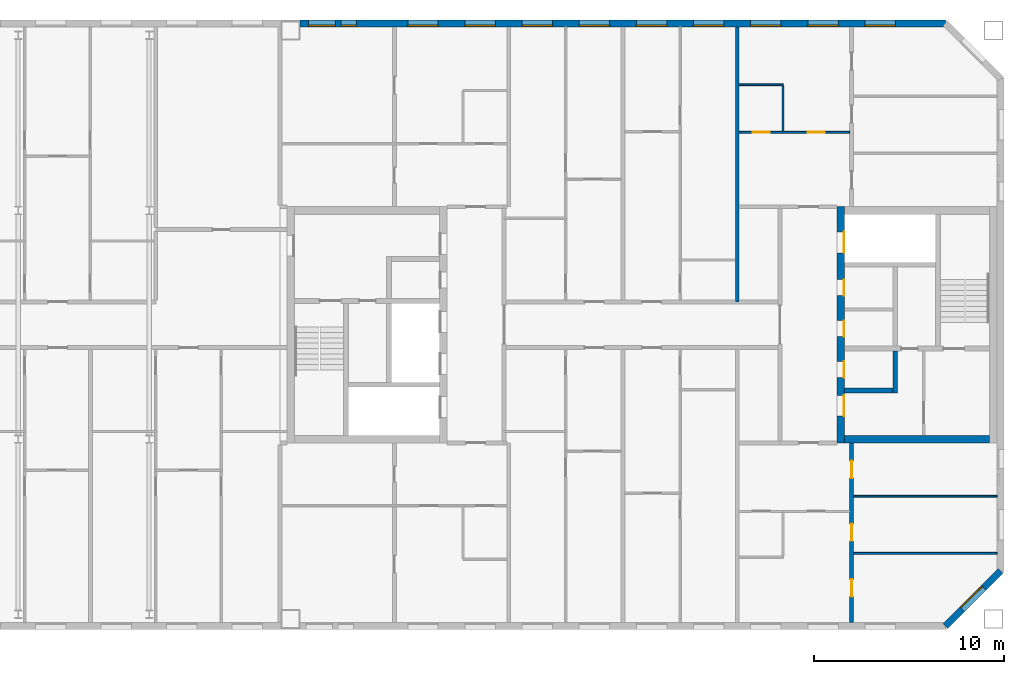
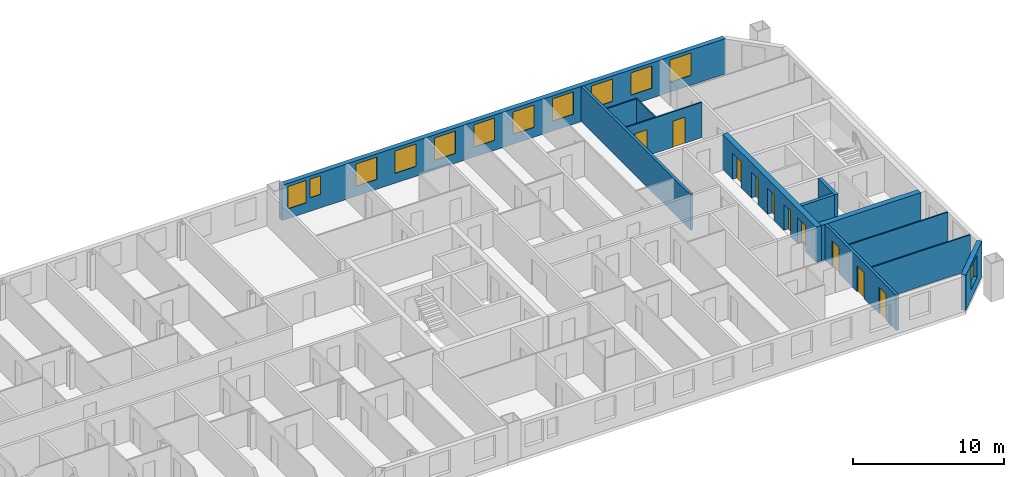
# One storey, part 16 of 19: 13 walls, 12 windows, 10 doors, 22 openings.
"""IFC4 building model written with IfcOpenShell, lengths in metres."""

import ifcopenshell
import ifcopenshell.guid

model = None  # the IFC model being written
_history = None  # IfcOwnerHistory: only IFC2X3 demands one
_inside = {}  # id of a spatial element -> (the spatial element, [elements in it])
_under = {}  # id of a project, library or spatial element -> (it, [spatial elements below it])
_declared = {}  # id of a project -> (the project, [libraries it declares])
_typed = {}  # id of a type object -> (the type object, [elements of that type])
_made_of = {}  # id of a material, layer set ... -> (it, [elements and type objects made of it])


def new_model(schema):
    """Start an empty IFC model of exactly this schema.

    Asked for "IFC4X3", IfcOpenShell would pick the latest addendum, in which some entities
    have other attributes; the version numbers below select the first issue.
    IFC2X3 requires an IfcOwnerHistory on every rooted entity: one is made here for all.
    """
    global model, _history
    if schema == "IFC4X3":
        model = ifcopenshell.file(schema_version=(4, 3, 0, 0))
    else:
        model = ifcopenshell.file(schema=schema)
    _inside.clear()
    _under.clear()
    _declared.clear()
    _typed.clear()
    _made_of.clear()
    _history = None
    if model.schema == "IFC2X3":
        org = make("IfcOrganization", Name="unknown")
        user = make(
            "IfcPersonAndOrganization",
            ThePerson=make("IfcPerson", FamilyName="unknown"),
            TheOrganization=org,
        )
        app = make(
            "IfcApplication",
            ApplicationDeveloper=org,
            Version="unknown",
            ApplicationFullName="unknown",
            ApplicationIdentifier="unknown",
        )
        _history = make(
            "IfcOwnerHistory",
            OwningUser=user,
            OwningApplication=app,
            ChangeAction="ADDED",
            CreationDate=0,
        )
    return model


def make(cls, **values):
    """One entity of the class cls with the attributes given. An attribute that is None is left unset."""
    return model.create_entity(
        cls, **{name: value for name, value in values.items() if value is not None}
    )


def rooted(cls, **values):
    """An entity with a GlobalId (a new one), such as an element, a storey or a relation."""
    return make(cls, GlobalId=ifcopenshell.guid.new(), OwnerHistory=_history, **values)


def si_unit(unit_type, name, prefix=None):
    """IfcSIUnit, for example si_unit("LENGTHUNIT", "METRE", prefix="MILLI")."""
    return make("IfcSIUnit", UnitType=unit_type, Prefix=prefix, Name=name)


def assignment(units):
    """IfcUnitAssignment: the units of a project."""
    return None if units is None else make("IfcUnitAssignment", Units=units)


def point(xyz):
    """IfcCartesianPoint."""
    return None if xyz is None else make("IfcCartesianPoint", Coordinates=xyz)


def direction(xyz):
    """IfcDirection."""
    return None if xyz is None else make("IfcDirection", DirectionRatios=xyz)


def frame(location, z_axis=None, x_axis=None):
    """IfcAxis2Placement3D, a coordinate frame: its origin and axes. An axis left out is left unset."""
    return make(
        "IfcAxis2Placement3D",
        Location=point(location),
        Axis=direction(z_axis),
        RefDirection=direction(x_axis),
    )


def frame_2d(location, x_axis=None):
    """IfcAxis2Placement2D, a coordinate frame in the plane: its origin and x axis."""
    return make(
        "IfcAxis2Placement2D", Location=point(location), RefDirection=direction(x_axis)
    )


def origin():
    """The frame at (0, 0, 0) with its axes left unset."""
    return frame((0.0, 0.0, 0.0))


def place(relative_to, where):
    """IfcLocalPlacement: puts the frame where relative to a parent placement (None: the world)."""
    return make(
        "IfcLocalPlacement", PlacementRelTo=relative_to, RelativePlacement=where
    )


def context(
    kind, dimensions, precision=None, world=None, true_north=None, identifier=None
):
    """IfcGeometricRepresentationContext, for example the 3D "Model" context."""
    return make(
        "IfcGeometricRepresentationContext",
        ContextIdentifier=identifier,
        ContextType=kind,
        CoordinateSpaceDimension=dimensions,
        Precision=precision,
        WorldCoordinateSystem=world,
        TrueNorth=true_north,
    )


def subcontext(parent, identifier, kind, view, scale=None):
    """IfcGeometricRepresentationSubContext, for example "Body" below "Model"."""
    return make(
        "IfcGeometricRepresentationSubContext",
        ContextIdentifier=identifier,
        ContextType=kind,
        ParentContext=parent,
        TargetScale=scale,
        TargetView=view,
    )


def project(units=None, contexts=None):
    """IfcProject with its units and contexts."""
    return rooted(
        "IfcProject",
        Name="project",
        RepresentationContexts=contexts,
        UnitsInContext=assignment(units),
    )


def spatial(cls, under=None, at=None, **own):
    """A site, building, storey or space (cls), placed at a placement, below another one or the project."""
    s = rooted(cls, ObjectPlacement=at, **own)
    if under is not None:
        _under.setdefault(under.id(), (under, []))[1].append(s)
    return s


def profile(cls, at=None, kind="AREA", **sizes):
    """A parametric profile (cls). Its sizes go by their IFC names, for example OverallWidth=200.0."""
    return make(cls, ProfileType=kind, Position=at, **sizes)


def rectangle(**sizes):
    """IfcRectangleProfileDef."""
    return profile("IfcRectangleProfileDef", **sizes)


def extrude(swept, where, along, depth):
    """IfcExtrudedAreaSolid: the profile swept, set in the frame where, extruded along a direction by depth."""
    return make(
        "IfcExtrudedAreaSolid",
        SweptArea=swept,
        Position=where,
        ExtrudedDirection=direction(along),
        Depth=depth,
    )


def shape(context_of_items, identifier, shape_type, items):
    """IfcShapeRepresentation: the items that make up one representation, for example the "Body"."""
    return make(
        "IfcShapeRepresentation",
        ContextOfItems=context_of_items,
        RepresentationIdentifier=identifier,
        RepresentationType=shape_type,
        Items=items,
    )


def material(Name=None, Category=None):
    """IfcMaterial."""
    return make("IfcMaterial", Name=Name, Category=Category)


def layer(
    of_material, thickness, ventilated=None, Name=None, Category=None, Priority=None
):
    """IfcMaterialLayer: one layer of a wall or slab, of a material (None: an air gap)."""
    return make(
        "IfcMaterialLayer",
        Material=of_material,
        LayerThickness=thickness,
        IsVentilated=ventilated,
        Name=Name,
        Category=Category,
        Priority=Priority,
    )


def layer_set(layers, Name=None):
    """IfcMaterialLayerSet."""
    return make("IfcMaterialLayerSet", MaterialLayers=layers, LayerSetName=Name)


def made_of(thing, what):
    """Note that an element or type object is made of a material, layer set ...; save() writes the relation."""
    if what is not None:
        _made_of.setdefault(what.id(), (what, []))[1].append(thing)
    return thing


def type_object(cls, material=None, **own):
    """A type object (cls), such as IfcWallType, which elements share."""
    return made_of(rooted(cls, **own), material)


def element(
    cls,
    number,
    at=None,
    inside=None,
    cuts=None,
    type_object=None,
    material=None,
    context=None,
    identifier="Body",
    shape_type=None,
    held_by="IfcProductDefinitionShape",
    body=None,
    shapes=None,
    **own,
):
    """One element of the class cls, such as IfcWall. Its Tag is "e" and its number.

    at: its placement. inside: the storey or other place that contains it. cuts: it is an
    opening in that element (IfcRelVoidsElement). A single representation is given by context,
    identifier, shape_type and body (its items); several are given by shapes. held_by: the class
    of the entity that holds the representations. save() writes the other relations.
    """
    e = rooted(cls, Tag="e%d" % number, ObjectPlacement=at, **own)
    if body is not None:
        shapes = [shape(context, identifier, shape_type, body)]
    if shapes is not None:
        e.Representation = make(held_by, Representations=shapes)
    if inside is not None:
        _inside.setdefault(inside.id(), (inside, []))[1].append(e)
    if cuts is not None:
        rooted(
            "IfcRelVoidsElement", RelatingBuildingElement=cuts, RelatedOpeningElement=e
        )
    if type_object is not None:
        _typed.setdefault(type_object.id(), (type_object, []))[1].append(e)
    return made_of(e, material)


def fill(opening, filler):
    """IfcRelFillsElement: the door or window that sits in an opening."""
    return rooted(
        "IfcRelFillsElement",
        RelatingOpeningElement=opening,
        RelatedBuildingElement=filler,
    )


def aggregate(whole, parts):
    """IfcRelAggregates: a whole, such as a stair, and the parts it consists of."""
    return rooted("IfcRelAggregates", RelatingObject=whole, RelatedObjects=parts)


def save(model, path):
    """Write the relations noted so far, then the file.

    IfcRelAggregates (storeys below a building ...), IfcRelContainedInSpatialStructure (elements
    in a storey), IfcRelDefinesByType, IfcRelAssociatesMaterial and IfcRelDeclares: one each for
    every whole, place, type object, material and project.
    """
    for whole, parts in _under.values():
        aggregate(whole, parts)
    for where, things in _inside.values():
        rooted(
            "IfcRelContainedInSpatialStructure",
            RelatedElements=things,
            RelatingStructure=where,
        )
    for kind, things in _typed.values():
        rooted("IfcRelDefinesByType", RelatedObjects=things, RelatingType=kind)
    for what, things in _made_of.values():
        rooted("IfcRelAssociatesMaterial", RelatedObjects=things, RelatingMaterial=what)
    for by, libraries in _declared.values():
        rooted("IfcRelDeclares", RelatingContext=by, RelatedDefinitions=libraries)
    model.write(path)


model = new_model("IFC4")

# Units and contexts
model_context = context("Model", 3, precision=1e-05, world=origin(), true_north=direction((0.0, 1.0)))
body_context = subcontext(model_context, "Body", "Model", "MODEL_VIEW")
ifc_project = project(units=[si_unit("LENGTHUNIT", "METRE"), si_unit("AREAUNIT", "SQUARE_METRE"), si_unit("VOLUMEUNIT", "CUBIC_METRE"), si_unit("PLANEANGLEUNIT", "RADIAN"), si_unit("MASSUNIT", "GRAM", prefix="KILO")], contexts=[model_context])

# Site, building, storey
site_placement = place(None, origin())
site = spatial("IfcSite", under=ifc_project, at=site_placement, CompositionType="ELEMENT")
building_placement = place(site_placement, origin())
building = spatial("IfcBuilding", under=site, at=building_placement, Name="Tuart Gate Housing", CompositionType="ELEMENT")
storey_placement = place(building_placement, frame((0.0, 0.0, 209.0)))
storey = spatial("IfcBuildingStorey", under=building, at=storey_placement, Name="L59", CompositionType="ELEMENT", Elevation=209.0)

# Wall, opening, window
ifc_material_1 = material(Name="Brick", Category="masonry")
ifc_layer_1 = layer(ifc_material_1, 0.360107421875)
ifc_layer_set_1 = layer_set([ifc_layer_1], Name="Brick pier and spandrel wall 360")
wall_type_1 = type_object("IfcWallType", Name="Brick pier and spandrel wall 360", PredefinedType="STANDARD", material=ifc_layer_set_1)
wall_1_placement = place(storey_placement, frame((165.92529296875, 54.179931640625, 0.0), z_axis=(0.0, 0.0, 1.0), x_axis=(0.707106781187, 0.707106781187, 0.0)))
wall_1 = element("IfcWall", 1, at=wall_1_placement, inside=storey, type_object=wall_type_1, Name="External wall BLK-SE L59", PredefinedType="STANDARD", context=body_context, shape_type="SweptSolid", body=[
    extrude(rectangle(XDim=4.09375, YDim=0.360107421875, at=frame_2d((2.046875, 0.0))), origin(), (0.0, 0.0, 1.0), 2.85009765625),
])
opening_1_placement = place(wall_1_placement, frame((1.2470703125, 0.0, 0.800048828125)))
opening_1 = element("IfcOpeningElement", 2, at=opening_1_placement, cuts=wall_1, Name="Opening W1", PredefinedType="OPENING", context=body_context, shape_type="SweptSolid", body=[
    extrude(rectangle(XDim=1.60009765625, YDim=1.800048828125, at=frame_2d((0.800048828125, 0.89990234375))), frame((0.0, 0.18994140625, 0.0), z_axis=(0.0, -1.0, 0.0), x_axis=(1.0, 0.0, 0.0)), (0.0, 0.0, 1.0), 0.380126953125),
])
ifc_material_2 = material(Name="Aluminium frame with clear glass", Category="aluminium")
window_type_1 = type_object("IfcWindowType", Name="Punched window 1600 x 1800", PartitioningType="SINGLE_PANEL", PredefinedType="WINDOW", material=ifc_material_2)
window_1_placement = place(opening_1_placement, origin())
window_1 = element("IfcWindow", 3, at=window_1_placement, inside=storey, type_object=window_type_1, Name="Window W1", OverallHeight=1.800048828125, OverallWidth=1.60009765625, PartitioningType="SINGLE_PANEL", PredefinedType="WINDOW", context=body_context, shape_type="SweptSolid", body=[
    extrude(rectangle(XDim=1.60009765625, YDim=1.800048828125, at=frame_2d((0.800048828125, 0.89990234375))), frame((0.0, 0.150146484375, 0.0), z_axis=(0.0, -1.0, 0.0), x_axis=(1.0, 0.0, 0.0)), (0.0, 0.0, 1.0), 0.06005859375),
])
fill(opening_1, window_1)

# Wall, openings, windows
wall_2_placement = place(storey_placement, frame((165.92529296875, 85.820068359375, 0.0), z_axis=(0.0, 0.0, 1.0), x_axis=(-1.0, 0.0, 0.0)))
wall_2 = element("IfcWall", 4, at=wall_2_placement, inside=storey, type_object=wall_type_1, Name="External wall BLK-N L59", PredefinedType="STANDARD", context=body_context, shape_type="SweptSolid", body=[
    extrude(rectangle(XDim=33.875244140625, YDim=0.360107421875, at=frame_2d((16.9375, 0.0))), origin(), (0.0, 0.0, 1.0), 2.85009765625),
])
opening_2_placement = place(wall_2_placement, frame((2.62548828125, 0.0, 0.800048828125)))
opening_2 = element("IfcOpeningElement", 5, at=opening_2_placement, cuts=wall_2, Name="Opening W1", PredefinedType="OPENING", context=body_context, shape_type="SweptSolid", body=[
    extrude(rectangle(XDim=1.60009765625, YDim=1.800048828125, at=frame_2d((0.800048828125, 0.89990234375))), frame((0.0, 0.18994140625, 0.0), z_axis=(0.0, -1.0, 0.0), x_axis=(1.0, 0.0, 0.0)), (0.0, 0.0, 1.0), 0.380126953125),
])
opening_3_placement = place(wall_2_placement, frame((5.62548828125, 0.0, 0.800048828125)))
opening_3 = element("IfcOpeningElement", 6, at=opening_3_placement, cuts=wall_2, Name="Opening W1", PredefinedType="OPENING", context=body_context, shape_type="SweptSolid", body=[
    extrude(rectangle(XDim=1.60009765625, YDim=1.800048828125, at=frame_2d((0.800048828125, 0.89990234375))), frame((0.0, 0.18994140625, 0.0), z_axis=(0.0, -1.0, 0.0), x_axis=(1.0, 0.0, 0.0)), (0.0, 0.0, 1.0), 0.380126953125),
])
opening_4_placement = place(wall_2_placement, frame((8.62548828125, 0.0, 0.800048828125)))
opening_4 = element("IfcOpeningElement", 7, at=opening_4_placement, cuts=wall_2, Name="Opening W1", PredefinedType="OPENING", context=body_context, shape_type="SweptSolid", body=[
    extrude(rectangle(XDim=1.60009765625, YDim=1.800048828125, at=frame_2d((0.800048828125, 0.89990234375))), frame((0.0, 0.18994140625, 0.0), z_axis=(0.0, -1.0, 0.0), x_axis=(1.0, 0.0, 0.0)), (0.0, 0.0, 1.0), 0.380126953125),
])
opening_5_placement = place(wall_2_placement, frame((11.62548828125, 0.0, 0.800048828125)))
opening_5 = element("IfcOpeningElement", 8, at=opening_5_placement, cuts=wall_2, Name="Opening W1", PredefinedType="OPENING", context=body_context, shape_type="SweptSolid", body=[
    extrude(rectangle(XDim=1.60009765625, YDim=1.800048828125, at=frame_2d((0.800048828125, 0.89990234375))), frame((0.0, 0.18994140625, 0.0), z_axis=(0.0, -1.0, 0.0), x_axis=(1.0, 0.0, 0.0)), (0.0, 0.0, 1.0), 0.380126953125),
])
opening_6_placement = place(wall_2_placement, frame((14.62548828125, 0.0, 0.800048828125)))
opening_6 = element("IfcOpeningElement", 9, at=opening_6_placement, cuts=wall_2, Name="Opening W1", PredefinedType="OPENING", context=body_context, shape_type="SweptSolid", body=[
    extrude(rectangle(XDim=1.60009765625, YDim=1.800048828125, at=frame_2d((0.800048828125, 0.89990234375))), frame((0.0, 0.18994140625, 0.0), z_axis=(0.0, -1.0, 0.0), x_axis=(1.0, 0.0, 0.0)), (0.0, 0.0, 1.0), 0.380126953125),
])
opening_7_placement = place(wall_2_placement, frame((17.62548828125, 0.0, 0.800048828125)))
opening_7 = element("IfcOpeningElement", 10, at=opening_7_placement, cuts=wall_2, Name="Opening W1", PredefinedType="OPENING", context=body_context, shape_type="SweptSolid", body=[
    extrude(rectangle(XDim=1.60009765625, YDim=1.800048828125, at=frame_2d((0.800048828125, 0.89990234375))), frame((0.0, 0.18994140625, 0.0), z_axis=(0.0, -1.0, 0.0), x_axis=(1.0, 0.0, 0.0)), (0.0, 0.0, 1.0), 0.380126953125),
])
opening_8_placement = place(wall_2_placement, frame((20.62548828125, 0.0, 0.800048828125)))
opening_8 = element("IfcOpeningElement", 11, at=opening_8_placement, cuts=wall_2, Name="Opening W1", PredefinedType="OPENING", context=body_context, shape_type="SweptSolid", body=[
    extrude(rectangle(XDim=1.60009765625, YDim=1.800048828125, at=frame_2d((0.800048828125, 0.89990234375))), frame((0.0, 0.18994140625, 0.0), z_axis=(0.0, -1.0, 0.0), x_axis=(1.0, 0.0, 0.0)), (0.0, 0.0, 1.0), 0.380126953125),
])
opening_9_placement = place(wall_2_placement, frame((23.62548828125, 0.0, 0.800048828125)))
opening_9 = element("IfcOpeningElement", 12, at=opening_9_placement, cuts=wall_2, Name="Opening W1", PredefinedType="OPENING", context=body_context, shape_type="SweptSolid", body=[
    extrude(rectangle(XDim=1.60009765625, YDim=1.800048828125, at=frame_2d((0.800048828125, 0.89990234375))), frame((0.0, 0.18994140625, 0.0), z_axis=(0.0, -1.0, 0.0), x_axis=(1.0, 0.0, 0.0)), (0.0, 0.0, 1.0), 0.380126953125),
])
opening_10_placement = place(wall_2_placement, frame((26.62548828125, 0.0, 0.800048828125)))
opening_10 = element("IfcOpeningElement", 13, at=opening_10_placement, cuts=wall_2, Name="Opening W1", PredefinedType="OPENING", context=body_context, shape_type="SweptSolid", body=[
    extrude(rectangle(XDim=1.60009765625, YDim=1.800048828125, at=frame_2d((0.800048828125, 0.89990234375))), frame((0.0, 0.18994140625, 0.0), z_axis=(0.0, -1.0, 0.0), x_axis=(1.0, 0.0, 0.0)), (0.0, 0.0, 1.0), 0.380126953125),
])
opening_11_placement = place(wall_2_placement, frame((30.92529296875, 0.0, 1.10009765625)))
opening_11 = element("IfcOpeningElement", 14, at=opening_11_placement, cuts=wall_2, Name="Opening W1J", PredefinedType="OPENING", context=body_context, shape_type="SweptSolid", body=[
    extrude(rectangle(XDim=0.800048828125, YDim=1.5, at=frame_2d((0.39990234375, 0.75))), frame((0.0, 0.18994140625, 0.0), z_axis=(0.0, -1.0, 0.0), x_axis=(1.0, 0.0, 0.0)), (0.0, 0.0, 1.0), 0.380126953125),
])
opening_12_placement = place(wall_2_placement, frame((32.025390625, 0.0, 0.800048828125)))
opening_12 = element("IfcOpeningElement", 15, at=opening_12_placement, cuts=wall_2, Name="Opening W1A", PredefinedType="OPENING", context=body_context, shape_type="SweptSolid", body=[
    extrude(rectangle(XDim=1.39990234375, YDim=1.800048828125, at=frame_2d((0.699951171875, 0.89990234375))), frame((0.0, 0.18994140625, 0.0), z_axis=(0.0, -1.0, 0.0), x_axis=(1.0, 0.0, 0.0)), (0.0, 0.0, 1.0), 0.380126953125),
])
ifc_material_3 = material(Name="Aluminium frame with clear glass", Category="aluminium")
window_type_2 = type_object("IfcWindowType", Name="Punched window 1400 x 1800", PartitioningType="SINGLE_PANEL", PredefinedType="WINDOW", material=ifc_material_3)
window_2_placement = place(opening_12_placement, origin())
window_2 = element("IfcWindow", 16, at=window_2_placement, inside=storey, type_object=window_type_2, Name="Window W1A", OverallHeight=1.800048828125, OverallWidth=1.39990234375, PartitioningType="SINGLE_PANEL", PredefinedType="WINDOW", context=body_context, shape_type="SweptSolid", body=[
    extrude(rectangle(XDim=1.39990234375, YDim=1.800048828125, at=frame_2d((0.699951171875, 0.89990234375))), frame((0.0, 0.150146484375, 0.0), z_axis=(0.0, -1.0, 0.0), x_axis=(1.0, 0.0, 0.0)), (0.0, 0.0, 1.0), 0.06005859375),
])
fill(opening_12, window_2)
window_3_placement = place(opening_2_placement, origin())
window_3 = element("IfcWindow", 17, at=window_3_placement, inside=storey, type_object=window_type_1, Name="Window W1", OverallHeight=1.800048828125, OverallWidth=1.60009765625, PartitioningType="SINGLE_PANEL", PredefinedType="WINDOW", context=body_context, shape_type="SweptSolid", body=[
    extrude(rectangle(XDim=1.60009765625, YDim=1.800048828125, at=frame_2d((0.800048828125, 0.89990234375))), frame((0.0, 0.150146484375, 0.0), z_axis=(0.0, -1.0, 0.0), x_axis=(1.0, 0.0, 0.0)), (0.0, 0.0, 1.0), 0.06005859375),
])
fill(opening_2, window_3)
window_4_placement = place(opening_3_placement, origin())
window_4 = element("IfcWindow", 18, at=window_4_placement, inside=storey, type_object=window_type_1, Name="Window W1", OverallHeight=1.800048828125, OverallWidth=1.60009765625, PartitioningType="SINGLE_PANEL", PredefinedType="WINDOW", context=body_context, shape_type="SweptSolid", body=[
    extrude(rectangle(XDim=1.60009765625, YDim=1.800048828125, at=frame_2d((0.800048828125, 0.89990234375))), frame((0.0, 0.150146484375, 0.0), z_axis=(0.0, -1.0, 0.0), x_axis=(1.0, 0.0, 0.0)), (0.0, 0.0, 1.0), 0.06005859375),
])
fill(opening_3, window_4)
window_5_placement = place(opening_4_placement, origin())
window_5 = element("IfcWindow", 19, at=window_5_placement, inside=storey, type_object=window_type_1, Name="Window W1", OverallHeight=1.800048828125, OverallWidth=1.60009765625, PartitioningType="SINGLE_PANEL", PredefinedType="WINDOW", context=body_context, shape_type="SweptSolid", body=[
    extrude(rectangle(XDim=1.60009765625, YDim=1.800048828125, at=frame_2d((0.800048828125, 0.89990234375))), frame((0.0, 0.150146484375, 0.0), z_axis=(0.0, -1.0, 0.0), x_axis=(1.0, 0.0, 0.0)), (0.0, 0.0, 1.0), 0.06005859375),
])
fill(opening_4, window_5)
window_6_placement = place(opening_5_placement, origin())
window_6 = element("IfcWindow", 20, at=window_6_placement, inside=storey, type_object=window_type_1, Name="Window W1", OverallHeight=1.800048828125, OverallWidth=1.60009765625, PartitioningType="SINGLE_PANEL", PredefinedType="WINDOW", context=body_context, shape_type="SweptSolid", body=[
    extrude(rectangle(XDim=1.60009765625, YDim=1.800048828125, at=frame_2d((0.800048828125, 0.89990234375))), frame((0.0, 0.150146484375, 0.0), z_axis=(0.0, -1.0, 0.0), x_axis=(1.0, 0.0, 0.0)), (0.0, 0.0, 1.0), 0.06005859375),
])
fill(opening_5, window_6)
window_7_placement = place(opening_6_placement, origin())
window_7 = element("IfcWindow", 21, at=window_7_placement, inside=storey, type_object=window_type_1, Name="Window W1", OverallHeight=1.800048828125, OverallWidth=1.60009765625, PartitioningType="SINGLE_PANEL", PredefinedType="WINDOW", context=body_context, shape_type="SweptSolid", body=[
    extrude(rectangle(XDim=1.60009765625, YDim=1.800048828125, at=frame_2d((0.800048828125, 0.89990234375))), frame((0.0, 0.150146484375, 0.0), z_axis=(0.0, -1.0, 0.0), x_axis=(1.0, 0.0, 0.0)), (0.0, 0.0, 1.0), 0.06005859375),
])
fill(opening_6, window_7)
window_8_placement = place(opening_7_placement, origin())
window_8 = element("IfcWindow", 22, at=window_8_placement, inside=storey, type_object=window_type_1, Name="Window W1", OverallHeight=1.800048828125, OverallWidth=1.60009765625, PartitioningType="SINGLE_PANEL", PredefinedType="WINDOW", context=body_context, shape_type="SweptSolid", body=[
    extrude(rectangle(XDim=1.60009765625, YDim=1.800048828125, at=frame_2d((0.800048828125, 0.89990234375))), frame((0.0, 0.150146484375, 0.0), z_axis=(0.0, -1.0, 0.0), x_axis=(1.0, 0.0, 0.0)), (0.0, 0.0, 1.0), 0.06005859375),
])
fill(opening_7, window_8)
window_9_placement = place(opening_8_placement, origin())
window_9 = element("IfcWindow", 23, at=window_9_placement, inside=storey, type_object=window_type_1, Name="Window W1", OverallHeight=1.800048828125, OverallWidth=1.60009765625, PartitioningType="SINGLE_PANEL", PredefinedType="WINDOW", context=body_context, shape_type="SweptSolid", body=[
    extrude(rectangle(XDim=1.60009765625, YDim=1.800048828125, at=frame_2d((0.800048828125, 0.89990234375))), frame((0.0, 0.150146484375, 0.0), z_axis=(0.0, -1.0, 0.0), x_axis=(1.0, 0.0, 0.0)), (0.0, 0.0, 1.0), 0.06005859375),
])
fill(opening_8, window_9)
window_10_placement = place(opening_9_placement, origin())
window_10 = element("IfcWindow", 24, at=window_10_placement, inside=storey, type_object=window_type_1, Name="Window W1", OverallHeight=1.800048828125, OverallWidth=1.60009765625, PartitioningType="SINGLE_PANEL", PredefinedType="WINDOW", context=body_context, shape_type="SweptSolid", body=[
    extrude(rectangle(XDim=1.60009765625, YDim=1.800048828125, at=frame_2d((0.800048828125, 0.89990234375))), frame((0.0, 0.150146484375, 0.0), z_axis=(0.0, -1.0, 0.0), x_axis=(1.0, 0.0, 0.0)), (0.0, 0.0, 1.0), 0.06005859375),
])
fill(opening_9, window_10)
window_11_placement = place(opening_10_placement, origin())
window_11 = element("IfcWindow", 25, at=window_11_placement, inside=storey, type_object=window_type_1, Name="Window W1", OverallHeight=1.800048828125, OverallWidth=1.60009765625, PartitioningType="SINGLE_PANEL", PredefinedType="WINDOW", context=body_context, shape_type="SweptSolid", body=[
    extrude(rectangle(XDim=1.60009765625, YDim=1.800048828125, at=frame_2d((0.800048828125, 0.89990234375))), frame((0.0, 0.150146484375, 0.0), z_axis=(0.0, -1.0, 0.0), x_axis=(1.0, 0.0, 0.0)), (0.0, 0.0, 1.0), 0.06005859375),
])
fill(opening_10, window_11)
ifc_material_4 = material(Name="Aluminium frame with clear glass", Category="aluminium")
window_type_3 = type_object("IfcWindowType", Name="Punched window 800 x 1500", PartitioningType="SINGLE_PANEL", PredefinedType="WINDOW", material=ifc_material_4)
window_12_placement = place(opening_11_placement, origin())
window_12 = element("IfcWindow", 26, at=window_12_placement, inside=storey, type_object=window_type_3, Name="Window W1J", OverallHeight=1.5, OverallWidth=0.800048828125, PartitioningType="SINGLE_PANEL", PredefinedType="WINDOW", context=body_context, shape_type="SweptSolid", body=[
    extrude(rectangle(XDim=0.800048828125, YDim=1.5, at=frame_2d((0.39990234375, 0.75))), frame((0.0, 0.150146484375, 0.0), z_axis=(0.0, -1.0, 0.0), x_axis=(1.0, 0.0, 0.0)), (0.0, 0.0, 1.0), 0.06005859375),
])
fill(opening_11, window_12)

# Walls
ifc_material_5 = material(Name="Concrete C40", Category="concrete")
ifc_layer_2 = layer(ifc_material_5, 0.25)
ifc_layer_set_2 = layer_set([ifc_layer_2], Name="Core wall 250 C40")
wall_type_2 = type_object("IfcWallType", Name="Core wall 250 C40", PredefinedType="SHEAR", material=ifc_layer_set_2)
wall_3_placement = place(storey_placement, frame((160.639892578125, 66.550048828125, 0.0), z_axis=(0.0, 0.0, 1.0), x_axis=(1.0, 0.0, 0.0)))
element("IfcWall", 27, at=wall_3_placement, inside=storey, type_object=wall_type_2, Name="Core wall BK.4", PredefinedType="SHEAR", context=body_context, shape_type="SweptSolid", body=[
    extrude(rectangle(XDim=2.525146484375, YDim=0.25, at=frame_2d((1.2626953125, 0.0))), origin(), (0.0, 0.0, 1.0), 2.85009765625),
])
wall_4_placement = place(storey_placement, frame((163.2900390625, 68.625, 0.0), z_axis=(0.0, 0.0, 1.0), x_axis=(0.0, -1.0, 0.0)))
element("IfcWall", 28, at=wall_4_placement, inside=storey, type_object=wall_type_2, Name="Core wall BK.6", PredefinedType="SHEAR", context=body_context, shape_type="SweptSolid", body=[
    extrude(rectangle(XDim=2.199951171875, YDim=0.25, at=frame_2d((1.10009765625, 0.0))), origin(), (0.0, 0.0, 1.0), 2.85009765625),
])

# Wall, openings, doors
ifc_material_6 = material(Name="Concrete C40", Category="concrete")
ifc_layer_3 = layer(ifc_material_6, 0.39990234375)
ifc_layer_set_3 = layer_set([ifc_layer_3], Name="Core wall 400 C40")
wall_type_3 = type_object("IfcWallType", Name="Core wall 400 C40", PredefinedType="SHEAR", material=ifc_layer_set_3)
wall_5_placement = place(storey_placement, frame((160.43994140625, 76.199951171875, 0.0), z_axis=(0.0, 0.0, 1.0), x_axis=(0.0, -1.0, 0.0)))
wall_5 = element("IfcWall", 29, at=wall_5_placement, inside=storey, type_object=wall_type_3, Name="Core wall BK front", PredefinedType="SHEAR", context=body_context, shape_type="SweptSolid", body=[
    extrude(rectangle(XDim=12.39990234375, YDim=0.39990234375, at=frame_2d((6.199951171875, 0.0))), origin(), (0.0, 0.0, 1.0), 2.85009765625),
])
opening_13_placement = place(wall_5_placement, frame((1.324951171875, 0.0, 0.0)))
opening_13 = element("IfcOpeningElement", 30, at=opening_13_placement, cuts=wall_5, Name="Opening LD-FB2", PredefinedType="OPENING", context=body_context, shape_type="SweptSolid", body=[
    extrude(rectangle(XDim=1.10009765625, YDim=2.10009765625, at=frame_2d((0.550048828125, 1.050048828125))), frame((0.0, 0.2099609375, 0.0), z_axis=(0.0, -1.0, 0.0), x_axis=(1.0, 0.0, 0.0)), (0.0, 0.0, 1.0), 0.419921875),
])
opening_14_placement = place(wall_5_placement, frame((3.824951171875, 0.0, 0.0)))
opening_14 = element("IfcOpeningElement", 31, at=opening_14_placement, cuts=wall_5, Name="Opening D2251", PredefinedType="OPENING", context=body_context, shape_type="SweptSolid", body=[
    extrude(rectangle(XDim=0.85009765625, YDim=2.10009765625, at=frame_2d((0.425048828125, 1.050048828125))), frame((0.0, 0.2099609375, 0.0), z_axis=(0.0, -1.0, 0.0), x_axis=(1.0, 0.0, 0.0)), (0.0, 0.0, 1.0), 0.419921875),
])
opening_15_placement = place(wall_5_placement, frame((5.97509765625, 0.0, 0.0)))
opening_15 = element("IfcOpeningElement", 32, at=opening_15_placement, cuts=wall_5, Name="Opening D2252", PredefinedType="OPENING", context=body_context, shape_type="SweptSolid", body=[
    extrude(rectangle(XDim=0.85009765625, YDim=2.10009765625, at=frame_2d((0.425048828125, 1.050048828125))), frame((0.0, 0.2099609375, 0.0), z_axis=(0.0, -1.0, 0.0), x_axis=(1.0, 0.0, 0.0)), (0.0, 0.0, 1.0), 0.419921875),
])
opening_16_placement = place(wall_5_placement, frame((9.89990234375, 0.0, 0.0)))
opening_16 = element("IfcOpeningElement", 33, at=opening_16_placement, cuts=wall_5, Name="Opening D2250", PredefinedType="OPENING", context=body_context, shape_type="SweptSolid", body=[
    extrude(rectangle(XDim=1.10009765625, YDim=2.10009765625, at=frame_2d((0.550048828125, 1.050048828125))), frame((0.0, 0.2099609375, 0.0), z_axis=(0.0, -1.0, 0.0), x_axis=(1.0, 0.0, 0.0)), (0.0, 0.0, 1.0), 0.419921875),
])
opening_17_placement = place(wall_5_placement, frame((8.125, 0.0, 0.0)))
opening_17 = element("IfcOpeningElement", 34, at=opening_17_placement, cuts=wall_5, Name="Opening D2253", PredefinedType="OPENING", context=body_context, shape_type="SweptSolid", body=[
    extrude(rectangle(XDim=0.85009765625, YDim=2.10009765625, at=frame_2d((0.425048828125, 1.050048828125))), frame((0.0, 0.2099609375, 0.0), z_axis=(0.0, -1.0, 0.0), x_axis=(1.0, 0.0, 0.0)), (0.0, 0.0, 1.0), 0.419921875),
])
ifc_material_7 = material(Name="Stainless steel", Category="steel")
door_type_1 = type_object("IfcDoorType", Name="Landing door 1100 x 2100", OperationType="DOUBLE_DOOR_SLIDING", PredefinedType="DOOR", material=ifc_material_7)
door_1_placement = place(opening_13_placement, origin())
door_1 = element("IfcDoor", 35, at=door_1_placement, inside=storey, type_object=door_type_1, Name="Lift landing door FB2", OperationType="DOUBLE_DOOR_SLIDING", OverallHeight=2.10009765625, OverallWidth=1.10009765625, PredefinedType="DOOR", context=body_context, shape_type="SweptSolid", body=[
    extrude(rectangle(XDim=1.10009765625, YDim=2.10009765625, at=frame_2d((0.550048828125, 1.050048828125))), frame((0.0, 0.18505859375, 0.0), z_axis=(0.0, -1.0, 0.0), x_axis=(1.0, 0.0, 0.0)), (0.0, 0.0, 1.0), 0.050048828125),
])
fill(opening_13, door_1)
ifc_material_8 = material(Name="Steel fire door", Category="steel")
door_type_2 = type_object("IfcDoorType", Name="Lobby door 1100 x 2100", OperationType="SINGLE_SWING_LEFT", PredefinedType="DOOR", material=ifc_material_8)
door_2_placement = place(opening_16_placement, origin())
door_2 = element("IfcDoor", 36, at=door_2_placement, inside=storey, type_object=door_type_2, Name="Lobby entry door BK.EN", OperationType="SINGLE_SWING_LEFT", OverallHeight=2.10009765625, OverallWidth=1.10009765625, PredefinedType="DOOR", context=body_context, shape_type="SweptSolid", body=[
    extrude(rectangle(XDim=1.10009765625, YDim=2.10009765625, at=frame_2d((0.550048828125, 1.050048828125))), frame((0.0, 0.18505859375, 0.0), z_axis=(0.0, -1.0, 0.0), x_axis=(1.0, 0.0, 0.0)), (0.0, 0.0, 1.0), 0.050048828125),
])
fill(opening_16, door_2)
ifc_material_9 = material(Name="Steel fire door", Category="steel")
door_type_3 = type_object("IfcDoorType", Name="Service door 850 x 2100", OperationType="SINGLE_SWING_LEFT", PredefinedType="DOOR", material=ifc_material_9)
door_3_placement = place(opening_14_placement, origin())
door_3 = element("IfcDoor", 37, at=door_3_placement, inside=storey, type_object=door_type_3, Name="Service room door BK.FR1", OperationType="SINGLE_SWING_LEFT", OverallHeight=2.10009765625, OverallWidth=0.85009765625, PredefinedType="DOOR", context=body_context, shape_type="SweptSolid", body=[
    extrude(rectangle(XDim=0.85009765625, YDim=2.10009765625, at=frame_2d((0.425048828125, 1.050048828125))), frame((0.0, 0.18505859375, 0.0), z_axis=(0.0, -1.0, 0.0), x_axis=(1.0, 0.0, 0.0)), (0.0, 0.0, 1.0), 0.050048828125),
])
fill(opening_14, door_3)
door_4_placement = place(opening_15_placement, origin())
door_4 = element("IfcDoor", 38, at=door_4_placement, inside=storey, type_object=door_type_3, Name="Service room door BK.FR2", OperationType="SINGLE_SWING_LEFT", OverallHeight=2.10009765625, OverallWidth=0.85009765625, PredefinedType="DOOR", context=body_context, shape_type="SweptSolid", body=[
    extrude(rectangle(XDim=0.85009765625, YDim=2.10009765625, at=frame_2d((0.425048828125, 1.050048828125))), frame((0.0, 0.18505859375, 0.0), z_axis=(0.0, -1.0, 0.0), x_axis=(1.0, 0.0, 0.0)), (0.0, 0.0, 1.0), 0.050048828125),
])
fill(opening_15, door_4)
door_5_placement = place(opening_17_placement, origin())
door_5 = element("IfcDoor", 39, at=door_5_placement, inside=storey, type_object=door_type_3, Name="Service room door BK.T1", OperationType="SINGLE_SWING_LEFT", OverallHeight=2.10009765625, OverallWidth=0.85009765625, PredefinedType="DOOR", context=body_context, shape_type="SweptSolid", body=[
    extrude(rectangle(XDim=0.85009765625, YDim=2.10009765625, at=frame_2d((0.425048828125, 1.050048828125))), frame((0.0, 0.18505859375, 0.0), z_axis=(0.0, -1.0, 0.0), x_axis=(1.0, 0.0, 0.0)), (0.0, 0.0, 1.0), 0.050048828125),
])
fill(opening_17, door_5)

# Walls
wall_6_placement = place(storey_placement, frame((160.639892578125, 64.0, 0.0), z_axis=(0.0, 0.0, 1.0), x_axis=(1.0, 0.0, 0.0)))
element("IfcWall", 40, at=wall_6_placement, inside=storey, type_object=wall_type_3, Name="Core wall BK north", PredefinedType="SHEAR", context=body_context, shape_type="SweptSolid", body=[
    extrude(rectangle(XDim=7.60009765625, YDim=0.39990234375, at=frame_2d((3.800048828125, 0.0))), origin(), (0.0, 0.0, 1.0), 2.85009765625),
])
ifc_material_10 = material(Name="Gypsum board on steel studs", Category="steel")
ifc_layer_4 = layer(ifc_material_10, 0.10009765625)
ifc_layer_set_4 = layer_set([ifc_layer_4], Name="Partition 100")
wall_type_4 = type_object("IfcWallType", Name="Partition 100", PredefinedType="PARTITIONING", material=ifc_layer_set_4)
for number, where, z_axis, x_axis, name in (
    (41, (161.10009765625, 58.0, 0.0), (0.0, 0.0, 1.0), (1.0, 0.0, 0.0), "Partition 100"),
    (42, (161.10009765625, 61.0, 0.0), (0.0, 0.0, 1.0), (1.0, 0.0, 0.0), "Partition 100"),
):
    element("IfcWall", number, at=place(storey_placement, frame(where, z_axis=z_axis, x_axis=x_axis)), inside=storey, type_object=wall_type_4, Name=name, PredefinedType="PARTITIONING", context=body_context, shape_type="SweptSolid", body=[
        extrude(rectangle(XDim=7.539794921875, YDim=0.10009765625, at=frame_2d((3.77001953125, 0.0))), origin(), (0.0, 0.0, 1.0), 2.85009765625),
    ])

# Wall, openings, doors
wall_7_placement = place(storey_placement, frame((155.10009765625, 80.10009765625, 0.0), z_axis=(0.0, 0.0, 1.0), x_axis=(1.0, 0.0, 0.0)))
wall_7 = element("IfcWall", 43, at=wall_7_placement, inside=storey, type_object=wall_type_4, Name="Partition 100", PredefinedType="PARTITIONING", context=body_context, shape_type="SweptSolid", body=[
    extrude(rectangle(XDim=5.7998046875, YDim=0.10009765625, at=frame_2d((2.89990234375, 0.0))), origin(), (0.0, 0.0, 1.0), 2.85009765625),
])
opening_18_placement = place(wall_7_placement, frame((3.60009765625, 0.0, 0.0)))
opening_18 = element("IfcOpeningElement", 44, at=opening_18_placement, cuts=wall_7, Name="Opening D2231", PredefinedType="OPENING", context=body_context, shape_type="SweptSolid", body=[
    extrude(rectangle(XDim=0.89990234375, YDim=2.10009765625, at=frame_2d((0.449951171875, 1.050048828125))), frame((0.0, 0.06005859375, 0.0), z_axis=(0.0, -1.0, 0.0), x_axis=(1.0, 0.0, 0.0)), (0.0, 0.0, 1.0), 0.1201171875),
])
opening_19_placement = place(wall_7_placement, frame((0.699951171875, 0.0, 0.0)))
opening_19 = element("IfcOpeningElement", 45, at=opening_19_placement, cuts=wall_7, Name="Opening D2230", PredefinedType="OPENING", context=body_context, shape_type="SweptSolid", body=[
    extrude(rectangle(XDim=0.89990234375, YDim=2.10009765625, at=frame_2d((0.449951171875, 1.050048828125))), frame((0.0, 0.06005859375, 0.0), z_axis=(0.0, -1.0, 0.0), x_axis=(1.0, 0.0, 0.0)), (0.0, 0.0, 1.0), 0.1201171875),
])
ifc_material_11 = material(Name="Timber door leaf in steel frame", Category="steel")
door_type_4 = type_object("IfcDoorType", Name="Bathroom door 900 RH", OperationType="SINGLE_SWING_RIGHT", PredefinedType="DOOR", material=ifc_material_11)
door_6_placement = place(opening_19_placement, origin())
door_6 = element("IfcDoor", 46, at=door_6_placement, inside=storey, type_object=door_type_4, Name="Bathroom door", OperationType="SINGLE_SWING_RIGHT", OverallHeight=2.10009765625, OverallWidth=0.89990234375, PredefinedType="DOOR", context=body_context, shape_type="SweptSolid", body=[
    extrude(rectangle(XDim=0.89990234375, YDim=2.10009765625, at=frame_2d((0.449951171875, 1.050048828125))), frame((0.0, 0.02490234375, 0.0), z_axis=(0.0, -1.0, 0.0), x_axis=(1.0, 0.0, 0.0)), (0.0, 0.0, 1.0), 0.050048828125),
])
fill(opening_19, door_6)
ifc_material_12 = material(Name="Timber door leaf in steel frame", Category="steel")
door_type_5 = type_object("IfcDoorType", Name="Internal door 900", OperationType="SINGLE_SWING_LEFT", PredefinedType="DOOR", material=ifc_material_12)
door_7_placement = place(opening_18_placement, frame((0.89990234375, 0.0, 0.0), z_axis=(0.0, 0.0, 1.0), x_axis=(-1.0, 0.0, 0.0)))
door_7 = element("IfcDoor", 47, at=door_7_placement, inside=storey, type_object=door_type_5, Name="Internal door", OperationType="SINGLE_SWING_LEFT", OverallHeight=2.10009765625, OverallWidth=0.89990234375, PredefinedType="DOOR", context=body_context, shape_type="SweptSolid", body=[
    extrude(rectangle(XDim=0.89990234375, YDim=2.10009765625, at=frame_2d((0.449951171875, 1.050048828125))), frame((0.0, 0.025146484375, 0.0), z_axis=(0.0, -1.0, 0.0), x_axis=(1.0, 0.0, 0.0)), (0.0, 0.0, 1.0), 0.050048828125),
])
fill(opening_18, door_7)

# Walls
wall_8_placement = place(storey_placement, frame((155.10009765625, 82.60009765625, 0.0), z_axis=(0.0, 0.0, 1.0), x_axis=(1.0, 0.0, 0.0)))
element("IfcWall", 48, at=wall_8_placement, inside=storey, type_object=wall_type_4, Name="Partition 100", PredefinedType="PARTITIONING", context=body_context, shape_type="SweptSolid", body=[
    extrude(rectangle(XDim=2.2998046875, YDim=0.10009765625, at=frame_2d((1.14990234375, 0.0))), origin(), (0.0, 0.0, 1.0), 2.85009765625),
])
wall_9_placement = place(storey_placement, frame((157.39990234375, 80.14990234375, 0.0), z_axis=(0.0, 0.0, 1.0), x_axis=(0.0, 1.0, 0.0)))
element("IfcWall", 49, at=wall_9_placement, inside=storey, type_object=wall_type_4, Name="Partition 100", PredefinedType="PARTITIONING", context=body_context, shape_type="SweptSolid", body=[
    extrude(rectangle(XDim=2.400146484375, YDim=0.10009765625, at=frame_2d((1.2001953125, 0.0))), origin(), (0.0, 0.0, 1.0), 2.85009765625),
])
ifc_material_13 = material(Name="Concrete C40", Category="concrete")
ifc_layer_5 = layer(ifc_material_13, 0.199951171875)
ifc_layer_set_5 = layer_set([ifc_layer_5], Name="Party wall concrete C40 200")
wall_type_5 = type_object("IfcWallType", Name="Party wall concrete C40 200", PredefinedType="SOLIDWALL", material=ifc_layer_set_5)
wall_10_placement = place(storey_placement, frame((155.0, 71.199951171875, 0.0), z_axis=(0.0, 0.0, 1.0), x_axis=(0.0, 1.0, 0.0)))
element("IfcWall", 50, at=wall_10_placement, inside=storey, type_object=wall_type_5, Name="Party wall concrete C40 200", PredefinedType="SOLIDWALL", context=body_context, shape_type="SweptSolid", body=[
    extrude(rectangle(XDim=14.43994140625, YDim=0.199951171875, at=frame_2d((7.219970703125, 0.0))), origin(), (0.0, 0.0, 1.0), 2.85009765625),
])

# Wall, openings, doors
wall_11_placement = place(storey_placement, frame((161.0, 54.360107421875, 0.0), z_axis=(0.0, 0.0, 1.0), x_axis=(0.0, 1.0, 0.0)))
wall_11 = element("IfcWall", 51, at=wall_11_placement, inside=storey, type_object=wall_type_5, Name="Party wall concrete C40 200", PredefinedType="SOLIDWALL", context=body_context, shape_type="SweptSolid", body=[
    extrude(rectangle(XDim=9.43994140625, YDim=0.199951171875, at=frame_2d((4.719970703125, 0.0))), origin(), (0.0, 0.0, 1.0), 2.85009765625),
])
opening_20_placement = place(wall_11_placement, frame((1.3701171875, 0.0, 0.0)))
opening_20 = element("IfcOpeningElement", 52, at=opening_20_placement, cuts=wall_11, Name="Opening D2273", PredefinedType="OPENING", context=body_context, shape_type="SweptSolid", body=[
    extrude(rectangle(XDim=0.89990234375, YDim=2.10009765625, at=frame_2d((0.449951171875, 1.050048828125))), frame((0.0, 0.10986328125, 0.0), z_axis=(0.0, -1.0, 0.0), x_axis=(1.0, 0.0, 0.0)), (0.0, 0.0, 1.0), 0.219970703125),
])
opening_21_placement = place(wall_11_placement, frame((4.2900390625, 0.0, 0.0)))
opening_21 = element("IfcOpeningElement", 53, at=opening_21_placement, cuts=wall_11, Name="Opening D2274", PredefinedType="OPENING", context=body_context, shape_type="SweptSolid", body=[
    extrude(rectangle(XDim=0.89990234375, YDim=2.10009765625, at=frame_2d((0.449951171875, 1.050048828125))), frame((0.0, 0.10986328125, 0.0), z_axis=(0.0, -1.0, 0.0), x_axis=(1.0, 0.0, 0.0)), (0.0, 0.0, 1.0), 0.219970703125),
])
opening_22_placement = place(wall_11_placement, frame((7.590087890625, 0.0, 0.0)))
opening_22 = element("IfcOpeningElement", 54, at=opening_22_placement, cuts=wall_11, Name="Opening D2275", PredefinedType="OPENING", context=body_context, shape_type="SweptSolid", body=[
    extrude(rectangle(XDim=0.89990234375, YDim=2.10009765625, at=frame_2d((0.449951171875, 1.050048828125))), frame((0.0, 0.10986328125, 0.0), z_axis=(0.0, -1.0, 0.0), x_axis=(1.0, 0.0, 0.0)), (0.0, 0.0, 1.0), 0.219970703125),
])
ifc_material_14 = material(Name="Timber door leaf in steel frame", Category="steel")
door_type_6 = type_object("IfcDoorType", Name="Internal door 900 RH", OperationType="SINGLE_SWING_RIGHT", PredefinedType="DOOR", material=ifc_material_14)
door_8_placement = place(opening_20_placement, frame((0.89990234375, 0.0, 0.0), z_axis=(0.0, 0.0, 1.0), x_axis=(-1.0, 0.0, 0.0)))
door_8 = element("IfcDoor", 55, at=door_8_placement, inside=storey, type_object=door_type_6, Name="Internal door", OperationType="SINGLE_SWING_RIGHT", OverallHeight=2.10009765625, OverallWidth=0.89990234375, PredefinedType="DOOR", context=body_context, shape_type="SweptSolid", body=[
    extrude(rectangle(XDim=0.89990234375, YDim=2.10009765625, at=frame_2d((0.449951171875, 1.050048828125))), frame((0.0, 0.025146484375, 0.0), z_axis=(0.0, -1.0, 0.0), x_axis=(1.0, 0.0, 0.0)), (0.0, 0.0, 1.0), 0.050048828125),
])
fill(opening_20, door_8)
door_9_placement = place(opening_21_placement, frame((0.89990234375, 0.0, 0.0), z_axis=(0.0, 0.0, 1.0), x_axis=(-1.0, 0.0, 0.0)))
door_9 = element("IfcDoor", 56, at=door_9_placement, inside=storey, type_object=door_type_6, Name="Internal door", OperationType="SINGLE_SWING_RIGHT", OverallHeight=2.10009765625, OverallWidth=0.89990234375, PredefinedType="DOOR", context=body_context, shape_type="SweptSolid", body=[
    extrude(rectangle(XDim=0.89990234375, YDim=2.10009765625, at=frame_2d((0.449951171875, 1.050048828125))), frame((0.0, 0.025146484375, 0.0), z_axis=(0.0, -1.0, 0.0), x_axis=(1.0, 0.0, 0.0)), (0.0, 0.0, 1.0), 0.050048828125),
])
fill(opening_21, door_9)
door_10_placement = place(opening_22_placement, frame((0.89990234375, 0.0, 0.0), z_axis=(0.0, 0.0, 1.0), x_axis=(-1.0, 0.0, 0.0)))
door_10 = element("IfcDoor", 57, at=door_10_placement, inside=storey, type_object=door_type_6, Name="Internal door", OperationType="SINGLE_SWING_RIGHT", OverallHeight=2.10009765625, OverallWidth=0.89990234375, PredefinedType="DOOR", context=body_context, shape_type="SweptSolid", body=[
    extrude(rectangle(XDim=0.89990234375, YDim=2.10009765625, at=frame_2d((0.449951171875, 1.050048828125))), frame((0.0, 0.025146484375, 0.0), z_axis=(0.0, -1.0, 0.0), x_axis=(1.0, 0.0, 0.0)), (0.0, 0.0, 1.0), 0.050048828125),
])
fill(opening_22, door_10)

save(model, "model.ifc")
